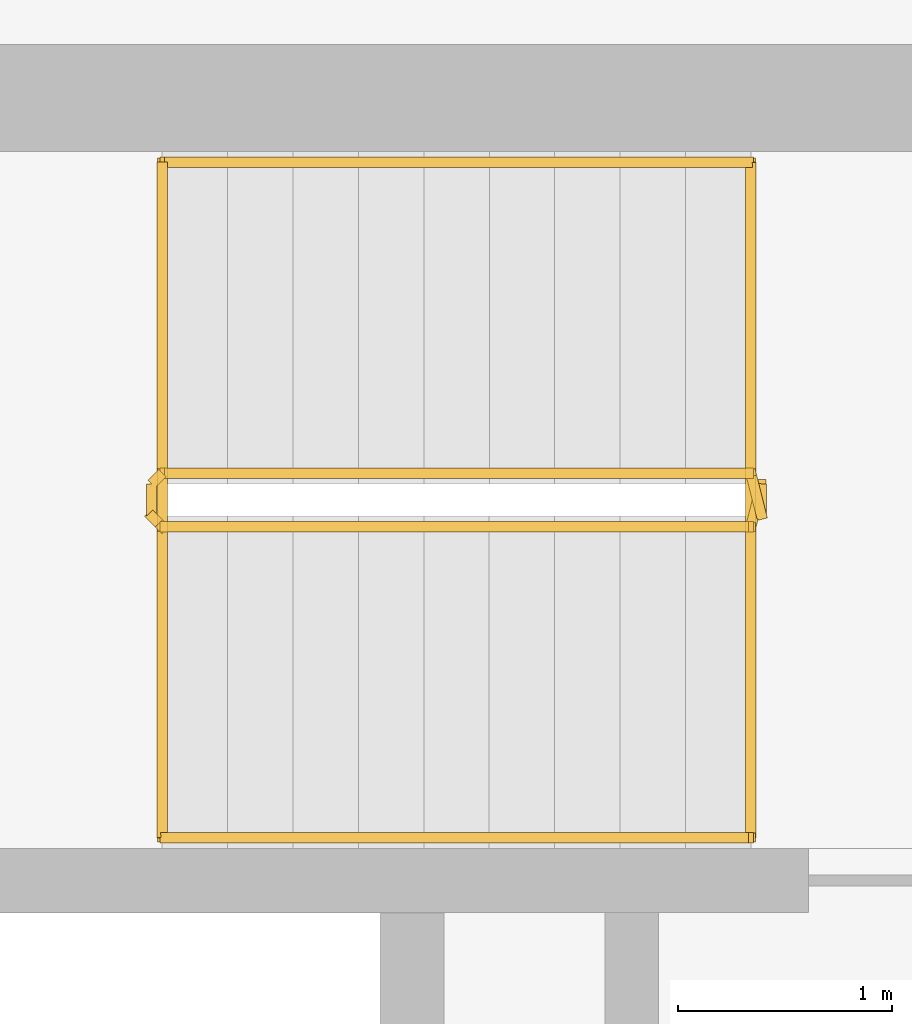
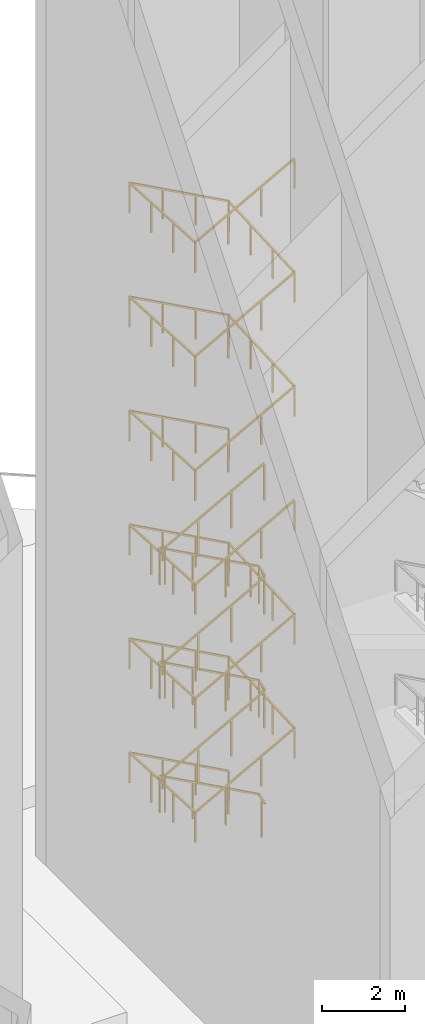
# One storey, part 23 of 26: 3 railings.
"""IFC4 building model written with IfcOpenShell, lengths in metres."""

from ifc_helpers import new_model, si_unit, direction, frame, origin, origin_2d, place, context, subcontext, project, spatial, rectangle, extrude, material, type_object, element, save


model = new_model("IFC4")

# Units and contexts
model_context = context("Model", 3, precision=1e-05, world=origin(), true_north=direction((0.0, 1.0)))
body_context = subcontext(model_context, "Body", "Model", "MODEL_VIEW")
ifc_project = project(units=[si_unit("LENGTHUNIT", "METRE"), si_unit("AREAUNIT", "SQUARE_METRE"), si_unit("VOLUMEUNIT", "CUBIC_METRE"), si_unit("PLANEANGLEUNIT", "RADIAN"), si_unit("MASSUNIT", "GRAM", prefix="KILO")], contexts=[model_context])

# Site, building, storey
site_placement = place(None, origin())
site = spatial("IfcSite", under=ifc_project, at=site_placement, CompositionType="ELEMENT")
building_placement = place(site_placement, origin())
building = spatial("IfcBuilding", under=site, at=building_placement, Name="Noorbagh Ring Tower", CompositionType="ELEMENT")
storey_placement = place(building_placement, frame((0.0, 0.0, 203.5)))
storey = spatial("IfcBuildingStorey", under=building, at=storey_placement, Name="L47", CompositionType="ELEMENT", Elevation=203.5)

# Railings
ifc_material_1 = material(Name="Stainless steel", Category="steel")
railing_type_1 = type_object("IfcRailingType", Name="CORE-STAIR-GUARD", PredefinedType="GUARDRAIL", material=ifc_material_1)
railing_1_placement = place(storey_placement, frame((21.580078125, 6.449951171875, 0.0)))
element("IfcRailing", 1, at=railing_1_placement, inside=storey, type_object=railing_type_1, Name="L47 ST3 stair guard", PredefinedType="GUARDRAIL", context=body_context, shape_type="SweptSolid", body=[
    extrude(rectangle(XDim=0.048095703125, YDim=0.048095703125, at=origin_2d()), frame((0.0, 0.0, 1.076171875), z_axis=(0.0, -1.0, 0.0), x_axis=(1.0, 0.0, 0.0)), (0.0, 0.0, 1.0), 0.14990234375),
    extrude(rectangle(XDim=0.048095703125, YDim=0.048095703125, at=origin_2d()), frame((0.0, -0.14990234375, 1.076171875), z_axis=(-0.188775798145, 0.754182335027, 0.628945707965), x_axis=(-0.970072785993, -0.242814311512, 0.0)), (0.0, 0.0, 1.0), 0.26513671875),
    extrude(rectangle(XDim=0.048095703125, YDim=0.048095703125, at=origin_2d()), frame((-0.050048828125, 0.050048828125, 1.24267578125), z_axis=(-0.877537414544, 0.0, 0.479508171021), x_axis=(0.0, -1.0, 0.0)), (0.0, 0.0, 1.0), 3.128173828125),
    extrude(rectangle(XDim=0.048095703125, YDim=0.048095703125, at=origin_2d()), frame((-2.795166015625, 0.050048828125, 2.74267578125), z_axis=(-0.705375805398, -0.708833529934, 0.0), x_axis=(0.708833529934, -0.705375805398, 0.0)), (0.0, 0.0, 1.0), 0.070556640625),
    extrude(rectangle(XDim=0.048095703125, YDim=0.048095703125, at=origin_2d()), frame((-2.844970703125, 0.0, 2.74267578125), z_axis=(0.0, -1.0, 0.0), x_axis=(1.0, 0.0, 0.0)), (0.0, 0.0, 1.0), 0.14990234375),
    extrude(rectangle(XDim=0.048095703125, YDim=0.048095703125, at=origin_2d()), frame((-2.844970703125, -0.14990234375, 2.74267578125), z_axis=(0.275382897532, -0.276732813696, 0.920642824102), x_axis=(0.708833529934, 0.705375805398, 0.0)), (0.0, 0.0, 1.0), 0.180908203125),
    extrude(rectangle(XDim=0.048095703125, YDim=0.048095703125, at=origin_2d()), frame((-2.795166015625, -0.199951171875, 2.9091796875), z_axis=(0.877537414544, 0.0, 0.479508171021), x_axis=(0.0, 1.0, 0.0)), (0.0, 0.0, 1.0), 3.128173828125),
    extrude(rectangle(XDim=0.048095703125, YDim=0.048095703125, at=origin_2d()), frame((-0.050048828125, -0.199951171875, 4.4091796875), z_axis=(0.242814311512, 0.970072785993, 0.0), x_axis=(-0.970072785993, 0.242814311512, 0.0)), (0.0, 0.0, 1.0), 0.2060546875),
    extrude(rectangle(XDim=0.048095703125, YDim=0.048095703125, at=origin_2d()), frame((0.0, 0.0, 4.4091796875), z_axis=(0.0, -1.0, 0.0), x_axis=(1.0, 0.0, 0.0)), (0.0, 0.0, 1.0), 0.14990234375),
    extrude(rectangle(XDim=0.048095703125, YDim=0.048095703125, at=origin_2d()), frame((0.0, -0.14990234375, 4.4091796875), z_axis=(-0.188775798145, 0.754182335027, 0.628945707965), x_axis=(-0.970072785993, -0.242814311512, 0.0)), (0.0, 0.0, 1.0), 0.26513671875),
    extrude(rectangle(XDim=0.048095703125, YDim=0.048095703125, at=origin_2d()), frame((-0.050048828125, 0.050048828125, 4.576171875), z_axis=(-0.877537414544, 0.0, 0.479508171021), x_axis=(0.0, -1.0, 0.0)), (0.0, 0.0, 1.0), 3.128173828125),
    extrude(rectangle(XDim=0.048095703125, YDim=0.048095703125, at=origin_2d()), frame((-2.795166015625, 0.050048828125, 6.076171875), z_axis=(-0.705375805398, -0.708833529934, 0.0), x_axis=(0.708833529934, -0.705375805398, 0.0)), (0.0, 0.0, 1.0), 0.070556640625),
    extrude(rectangle(XDim=0.048095703125, YDim=0.048095703125, at=origin_2d()), frame((-2.844970703125, 0.0, 6.076171875), z_axis=(0.0, -1.0, 0.0), x_axis=(1.0, 0.0, 0.0)), (0.0, 0.0, 1.0), 0.14990234375),
    extrude(rectangle(XDim=0.048095703125, YDim=0.048095703125, at=origin_2d()), frame((-2.844970703125, -0.14990234375, 6.076171875), z_axis=(0.275041040955, -0.276389281352, 0.920848191041), x_axis=(0.708833529934, 0.705375805398, 0.0)), (0.0, 0.0, 1.0), 0.18115234375),
    extrude(rectangle(XDim=0.048095703125, YDim=0.048095703125, at=origin_2d()), frame((-2.795166015625, -0.199951171875, 6.24267578125), z_axis=(0.877537414544, 0.0, 0.479508171021), x_axis=(0.0, 1.0, 0.0)), (0.0, 0.0, 1.0), 3.128173828125),
    extrude(rectangle(XDim=0.048095703125, YDim=0.048095703125, at=origin_2d()), frame((-0.050048828125, -0.199951171875, 7.74267578125), z_axis=(0.242814311512, 0.970072785993, 0.0), x_axis=(-0.970072785993, 0.242814311512, 0.0)), (0.0, 0.0, 1.0), 0.2060546875),
    extrude(rectangle(XDim=0.048095703125, YDim=0.048095703125, at=origin_2d()), frame((0.0, 0.0, 7.74267578125), z_axis=(0.0, -1.0, 0.0), x_axis=(1.0, 0.0, 0.0)), (0.0, 0.0, 1.0), 0.14990234375),
    extrude(rectangle(XDim=0.048095703125, YDim=0.048095703125, at=origin_2d()), frame((0.0, -0.14990234375, 7.74267578125), z_axis=(-0.188885146209, 0.754619193878, 0.628388632753), x_axis=(-0.970072785993, -0.242814311512, 0.0)), (0.0, 0.0, 1.0), 0.264892578125),
    extrude(rectangle(XDim=0.048095703125, YDim=0.048095703125, at=origin_2d()), frame((-0.050048828125, 0.050048828125, 7.9091796875), z_axis=(-0.877537414544, 0.0, 0.479508171021), x_axis=(0.0, -1.0, 0.0)), (0.0, 0.0, 1.0), 3.128173828125),
    extrude(rectangle(XDim=0.048095703125, YDim=0.048095703125, at=origin_2d()), frame((-2.795166015625, 0.050048828125, 9.4091796875), z_axis=(-0.705375805398, -0.708833529934, 0.0), x_axis=(0.708833529934, -0.705375805398, 0.0)), (0.0, 0.0, 1.0), 0.070556640625),
    extrude(rectangle(XDim=0.048095703125, YDim=0.048095703125, at=origin_2d()), frame((-2.844970703125, 0.0, 9.4091796875), z_axis=(0.0, -1.0, 0.0), x_axis=(1.0, 0.0, 0.0)), (0.0, 0.0, 1.0), 0.14990234375),
    extrude(rectangle(XDim=0.048095703125, YDim=0.048095703125, at=origin_2d()), frame((-2.844970703125, -0.14990234375, 9.4091796875), z_axis=(0.275041040955, -0.276389281352, 0.920848191041), x_axis=(0.708833529934, 0.705375805398, 0.0)), (0.0, 0.0, 1.0), 0.18115234375),
    extrude(rectangle(XDim=0.048095703125, YDim=0.048095703125, at=origin_2d()), frame((-2.795166015625, -0.199951171875, 9.576171875), z_axis=(0.877537414544, 0.0, 0.479508171021), x_axis=(0.0, 1.0, 0.0)), (0.0, 0.0, 1.0), 3.128173828125),
    extrude(rectangle(XDim=0.0419921875, YDim=0.0419921875, at=origin_2d()), origin(), (0.0, 0.0, 1.0), 1.052001953125),
    extrude(rectangle(XDim=0.0419921875, YDim=0.0419921875, at=origin_2d()), frame((-0.965087890625, 0.050048828125, 0.666748046875)), (0.0, 0.0, 1.0), 1.052001953125),
    extrude(rectangle(XDim=0.0419921875, YDim=0.0419921875, at=origin_2d()), frame((-1.880126953125, 0.050048828125, 1.166748046875)), (0.0, 0.0, 1.0), 1.052001953125),
    extrude(rectangle(XDim=0.0419921875, YDim=0.0419921875, at=origin_2d()), frame((-2.795166015625, 0.050048828125, 1.666748046875)), (0.0, 0.0, 1.0), 1.052001953125),
    extrude(rectangle(XDim=0.0419921875, YDim=0.0419921875, at=origin_2d()), frame((-2.795166015625, -0.199951171875, 1.833251953125)), (0.0, 0.0, 1.0), 1.052001953125),
    extrude(rectangle(XDim=0.0419921875, YDim=0.0419921875, at=origin_2d()), frame((-1.880126953125, -0.199951171875, 2.333251953125)), (0.0, 0.0, 1.0), 1.052001953125),
    extrude(rectangle(XDim=0.0419921875, YDim=0.0419921875, at=origin_2d()), frame((-0.965087890625, -0.199951171875, 2.833251953125)), (0.0, 0.0, 1.0), 1.052001953125),
    extrude(rectangle(XDim=0.0419921875, YDim=0.0419921875, at=origin_2d()), frame((-0.050048828125, -0.199951171875, 3.333251953125)), (0.0, 0.0, 1.0), 1.052001953125),
    extrude(rectangle(XDim=0.0419921875, YDim=0.0419921875, at=origin_2d()), frame((-0.050048828125, 0.050048828125, 3.5)), (0.0, 0.0, 1.0), 1.052001953125),
    extrude(rectangle(XDim=0.0419921875, YDim=0.0419921875, at=origin_2d()), frame((-0.965087890625, 0.050048828125, 4.0)), (0.0, 0.0, 1.0), 1.052001953125),
    extrude(rectangle(XDim=0.0419921875, YDim=0.0419921875, at=origin_2d()), frame((-1.880126953125, 0.050048828125, 4.5)), (0.0, 0.0, 1.0), 1.052001953125),
    extrude(rectangle(XDim=0.0419921875, YDim=0.0419921875, at=origin_2d()), frame((-2.795166015625, 0.050048828125, 5.0)), (0.0, 0.0, 1.0), 1.052001953125),
    extrude(rectangle(XDim=0.0419921875, YDim=0.0419921875, at=origin_2d()), frame((-2.795166015625, -0.199951171875, 5.166748046875)), (0.0, 0.0, 1.0), 1.052001953125),
    extrude(rectangle(XDim=0.0419921875, YDim=0.0419921875, at=origin_2d()), frame((-1.880126953125, -0.199951171875, 5.666748046875)), (0.0, 0.0, 1.0), 1.052001953125),
    extrude(rectangle(XDim=0.0419921875, YDim=0.0419921875, at=origin_2d()), frame((-0.965087890625, -0.199951171875, 6.166748046875)), (0.0, 0.0, 1.0), 1.052001953125),
    extrude(rectangle(XDim=0.0419921875, YDim=0.0419921875, at=origin_2d()), frame((-0.050048828125, -0.199951171875, 6.666748046875)), (0.0, 0.0, 1.0), 1.052001953125),
    extrude(rectangle(XDim=0.0419921875, YDim=0.0419921875, at=origin_2d()), frame((-0.050048828125, 0.050048828125, 6.833251953125)), (0.0, 0.0, 1.0), 1.052001953125),
    extrude(rectangle(XDim=0.0419921875, YDim=0.0419921875, at=origin_2d()), frame((-0.965087890625, 0.050048828125, 7.333251953125)), (0.0, 0.0, 1.0), 1.052001953125),
    extrude(rectangle(XDim=0.0419921875, YDim=0.0419921875, at=origin_2d()), frame((-1.880126953125, 0.050048828125, 7.833251953125)), (0.0, 0.0, 1.0), 1.052001953125),
    extrude(rectangle(XDim=0.0419921875, YDim=0.0419921875, at=origin_2d()), frame((-2.795166015625, 0.050048828125, 8.333251953125)), (0.0, 0.0, 1.0), 1.052001953125),
    extrude(rectangle(XDim=0.0419921875, YDim=0.0419921875, at=origin_2d()), frame((-2.795166015625, -0.199951171875, 8.5)), (0.0, 0.0, 1.0), 1.052001953125),
    extrude(rectangle(XDim=0.0419921875, YDim=0.0419921875, at=origin_2d()), frame((-1.880126953125, -0.199951171875, 9.0)), (0.0, 0.0, 1.0), 1.052001953125),
    extrude(rectangle(XDim=0.0419921875, YDim=0.0419921875, at=origin_2d()), frame((-0.965087890625, -0.199951171875, 9.5)), (0.0, 0.0, 1.0), 1.052001953125),
    extrude(rectangle(XDim=0.0419921875, YDim=0.0419921875, at=origin_2d()), frame((-0.050048828125, -0.199951171875, 10.0)), (0.0, 0.0, 1.0), 1.052001953125),
])
ifc_material_2 = material(Name="Stainless steel", Category="steel")
railing_type_2 = type_object("IfcRailingType", Name="CORE-STAIR-HANDRAIL", PredefinedType="HANDRAIL", material=ifc_material_2)
railing_2_placement = place(storey_placement, frame((21.530029296875, 7.949951171875, 0.166748046875)))
element("IfcRailing", 2, at=railing_2_placement, inside=storey, type_object=railing_type_2, Name="L47 ST3 stair handrail", PredefinedType="HANDRAIL", context=body_context, shape_type="SweptSolid", body=[
    extrude(rectangle(XDim=0.048095703125, YDim=0.048095703125, at=origin_2d()), frame((0.0, 0.0, 0.8759765625), z_axis=(-0.877537414544, 0.0, 0.479508171021), x_axis=(0.0, -1.0, 0.0)), (0.0, 0.0, 1.0), 3.128173828125),
    extrude(rectangle(XDim=0.048095703125, YDim=0.048095703125, at=origin_2d()), frame((-2.7451171875, 0.0, 2.3759765625), z_axis=(0.0, -0.998605830047, 0.052786325848), x_axis=(1.0, 0.0, 0.0)), (0.0, 0.0, 1.0), 3.154296875),
    extrude(rectangle(XDim=0.048095703125, YDim=0.048095703125, at=origin_2d()), frame((-2.7451171875, -3.14990234375, 2.54248046875), z_axis=(0.877537414544, 0.0, 0.479508171021), x_axis=(0.0, 1.0, 0.0)), (0.0, 0.0, 1.0), 3.128173828125),
    extrude(rectangle(XDim=0.048095703125, YDim=0.048095703125, at=origin_2d()), frame((0.0, -3.14990234375, 4.04248046875), z_axis=(0.0, 0.998601747152, 0.052863509014), x_axis=(-1.0, 0.0, 0.0)), (0.0, 0.0, 1.0), 3.154296875),
    extrude(rectangle(XDim=0.048095703125, YDim=0.048095703125, at=origin_2d()), frame((0.0, 0.0, 4.208984375), z_axis=(-0.877537414544, 0.0, 0.479508171021), x_axis=(0.0, -1.0, 0.0)), (0.0, 0.0, 1.0), 3.128173828125),
    extrude(rectangle(XDim=0.048095703125, YDim=0.048095703125, at=origin_2d()), frame((-2.7451171875, 0.0, 5.708984375), z_axis=(0.0, -0.998601747152, 0.052863509014), x_axis=(1.0, 0.0, 0.0)), (0.0, 0.0, 1.0), 3.154296875),
    extrude(rectangle(XDim=0.048095703125, YDim=0.048095703125, at=origin_2d()), frame((-2.7451171875, -3.14990234375, 5.8759765625), z_axis=(0.877537414544, 0.0, 0.479508171021), x_axis=(0.0, 1.0, 0.0)), (0.0, 0.0, 1.0), 3.128173828125),
    extrude(rectangle(XDim=0.048095703125, YDim=0.048095703125, at=origin_2d()), frame((0.0, -3.14990234375, 7.3759765625), z_axis=(0.0, 0.998605830047, 0.052786325848), x_axis=(-1.0, 0.0, 0.0)), (0.0, 0.0, 1.0), 3.154296875),
    extrude(rectangle(XDim=0.048095703125, YDim=0.048095703125, at=origin_2d()), frame((0.0, 0.0, 7.54248046875), z_axis=(-0.877537414544, 0.0, 0.479508171021), x_axis=(0.0, -1.0, 0.0)), (0.0, 0.0, 1.0), 3.128173828125),
    extrude(rectangle(XDim=0.048095703125, YDim=0.048095703125, at=origin_2d()), frame((-2.7451171875, 0.0, 9.04248046875), z_axis=(0.0, -0.998601747152, 0.052863509014), x_axis=(1.0, 0.0, 0.0)), (0.0, 0.0, 1.0), 3.154296875),
    extrude(rectangle(XDim=0.048095703125, YDim=0.048095703125, at=origin_2d()), frame((-2.7451171875, -3.14990234375, 9.208984375), z_axis=(0.877537414544, 0.0, 0.479508171021), x_axis=(0.0, 1.0, 0.0)), (0.0, 0.0, 1.0), 3.128173828125),
    extrude(rectangle(XDim=0.0419921875, YDim=0.0419921875, at=origin_2d()), origin(), (0.0, 0.0, 1.0), 0.851806640625),
    extrude(rectangle(XDim=0.0419921875, YDim=0.0419921875, at=origin_2d()), frame((-0.9150390625, 0.0, 0.5)), (0.0, 0.0, 1.0), 0.851806640625),
    extrude(rectangle(XDim=0.0419921875, YDim=0.0419921875, at=origin_2d()), frame((-1.830078125, 0.0, 1.0)), (0.0, 0.0, 1.0), 0.851806640625),
    extrude(rectangle(XDim=0.0419921875, YDim=0.0419921875, at=origin_2d()), frame((-2.7451171875, 0.0, 1.5)), (0.0, 0.0, 1.0), 0.851806640625),
    extrude(rectangle(XDim=0.0419921875, YDim=0.0419921875, at=origin_2d()), frame((-2.7451171875, -1.050048828125, 1.555419921875)), (0.0, 0.0, 1.0), 0.851806640625),
    extrude(rectangle(XDim=0.0419921875, YDim=0.0419921875, at=origin_2d()), frame((-2.7451171875, -2.099853515625, 1.611083984375)), (0.0, 0.0, 1.0), 0.851806640625),
    extrude(rectangle(XDim=0.0419921875, YDim=0.0419921875, at=origin_2d()), frame((-2.7451171875, -3.14990234375, 1.66650390625)), (0.0, 0.0, 1.0), 0.851806640625),
    extrude(rectangle(XDim=0.0419921875, YDim=0.0419921875, at=origin_2d()), frame((-1.830078125, -3.14990234375, 2.16650390625)), (0.0, 0.0, 1.0), 0.851806640625),
    extrude(rectangle(XDim=0.0419921875, YDim=0.0419921875, at=origin_2d()), frame((-0.9150390625, -3.14990234375, 2.66650390625)), (0.0, 0.0, 1.0), 0.851806640625),
    extrude(rectangle(XDim=0.0419921875, YDim=0.0419921875, at=origin_2d()), frame((0.0, -3.14990234375, 3.16650390625)), (0.0, 0.0, 1.0), 0.851806640625),
    extrude(rectangle(XDim=0.0419921875, YDim=0.0419921875, at=origin_2d()), frame((0.0, -2.099853515625, 3.22216796875)), (0.0, 0.0, 1.0), 0.851806640625),
    extrude(rectangle(XDim=0.0419921875, YDim=0.0419921875, at=origin_2d()), frame((0.0, -1.050048828125, 3.277587890625)), (0.0, 0.0, 1.0), 0.851806640625),
    extrude(rectangle(XDim=0.0419921875, YDim=0.0419921875, at=origin_2d()), frame((0.0, 0.0, 3.333251953125)), (0.0, 0.0, 1.0), 0.851806640625),
    extrude(rectangle(XDim=0.0419921875, YDim=0.0419921875, at=origin_2d()), frame((-0.9150390625, 0.0, 3.833251953125)), (0.0, 0.0, 1.0), 0.851806640625),
    extrude(rectangle(XDim=0.0419921875, YDim=0.0419921875, at=origin_2d()), frame((-1.830078125, 0.0, 4.333251953125)), (0.0, 0.0, 1.0), 0.851806640625),
    extrude(rectangle(XDim=0.0419921875, YDim=0.0419921875, at=origin_2d()), frame((-2.7451171875, 0.0, 4.833251953125)), (0.0, 0.0, 1.0), 0.851806640625),
    extrude(rectangle(XDim=0.0419921875, YDim=0.0419921875, at=origin_2d()), frame((-2.7451171875, -1.050048828125, 4.888916015625)), (0.0, 0.0, 1.0), 0.851806640625),
    extrude(rectangle(XDim=0.0419921875, YDim=0.0419921875, at=origin_2d()), frame((-2.7451171875, -2.099853515625, 4.9443359375)), (0.0, 0.0, 1.0), 0.851806640625),
    extrude(rectangle(XDim=0.0419921875, YDim=0.0419921875, at=origin_2d()), frame((-2.7451171875, -3.14990234375, 5.0)), (0.0, 0.0, 1.0), 0.851806640625),
    extrude(rectangle(XDim=0.0419921875, YDim=0.0419921875, at=origin_2d()), frame((-1.830078125, -3.14990234375, 5.5)), (0.0, 0.0, 1.0), 0.851806640625),
    extrude(rectangle(XDim=0.0419921875, YDim=0.0419921875, at=origin_2d()), frame((-0.9150390625, -3.14990234375, 6.0)), (0.0, 0.0, 1.0), 0.851806640625),
    extrude(rectangle(XDim=0.0419921875, YDim=0.0419921875, at=origin_2d()), frame((0.0, -3.14990234375, 6.5)), (0.0, 0.0, 1.0), 0.851806640625),
    extrude(rectangle(XDim=0.0419921875, YDim=0.0419921875, at=origin_2d()), frame((0.0, -2.099853515625, 6.555419921875)), (0.0, 0.0, 1.0), 0.851806640625),
    extrude(rectangle(XDim=0.0419921875, YDim=0.0419921875, at=origin_2d()), frame((0.0, -1.050048828125, 6.611083984375)), (0.0, 0.0, 1.0), 0.851806640625),
    extrude(rectangle(XDim=0.0419921875, YDim=0.0419921875, at=origin_2d()), frame((0.0, 0.0, 6.66650390625)), (0.0, 0.0, 1.0), 0.851806640625),
    extrude(rectangle(XDim=0.0419921875, YDim=0.0419921875, at=origin_2d()), frame((-0.9150390625, 0.0, 7.16650390625)), (0.0, 0.0, 1.0), 0.851806640625),
    extrude(rectangle(XDim=0.0419921875, YDim=0.0419921875, at=origin_2d()), frame((-1.830078125, 0.0, 7.66650390625)), (0.0, 0.0, 1.0), 0.851806640625),
    extrude(rectangle(XDim=0.0419921875, YDim=0.0419921875, at=origin_2d()), frame((-2.7451171875, 0.0, 8.16650390625)), (0.0, 0.0, 1.0), 0.851806640625),
    extrude(rectangle(XDim=0.0419921875, YDim=0.0419921875, at=origin_2d()), frame((-2.7451171875, -1.050048828125, 8.22216796875)), (0.0, 0.0, 1.0), 0.851806640625),
    extrude(rectangle(XDim=0.0419921875, YDim=0.0419921875, at=origin_2d()), frame((-2.7451171875, -2.099853515625, 8.277587890625)), (0.0, 0.0, 1.0), 0.851806640625),
    extrude(rectangle(XDim=0.0419921875, YDim=0.0419921875, at=origin_2d()), frame((-2.7451171875, -3.14990234375, 8.333251953125)), (0.0, 0.0, 1.0), 0.851806640625),
    extrude(rectangle(XDim=0.0419921875, YDim=0.0419921875, at=origin_2d()), frame((-1.830078125, -3.14990234375, 8.833251953125)), (0.0, 0.0, 1.0), 0.851806640625),
    extrude(rectangle(XDim=0.0419921875, YDim=0.0419921875, at=origin_2d()), frame((-0.9150390625, -3.14990234375, 9.333251953125)), (0.0, 0.0, 1.0), 0.851806640625),
    extrude(rectangle(XDim=0.0419921875, YDim=0.0419921875, at=origin_2d()), frame((0.0, -3.14990234375, 9.833251953125)), (0.0, 0.0, 1.0), 0.851806640625),
])
railing_3_placement = place(storey_placement, frame((21.530029296875, 7.949951171875, 10.166748046875)))
element("IfcRailing", 3, at=railing_3_placement, inside=storey, type_object=railing_type_2, Name="L47b ST3 stair handrail", PredefinedType="HANDRAIL", context=body_context, shape_type="SweptSolid", body=[
    extrude(rectangle(XDim=0.048095703125, YDim=0.048095703125, at=origin_2d()), frame((0.0, 0.0, 0.8759765625), z_axis=(-0.877537414544, 0.0, 0.479508171021), x_axis=(0.0, -1.0, 0.0)), (0.0, 0.0, 1.0), 3.128173828125),
    extrude(rectangle(XDim=0.048095703125, YDim=0.048095703125, at=origin_2d()), frame((-2.7451171875, 0.0, 2.3759765625), z_axis=(0.0, -0.998605830047, 0.052786325848), x_axis=(1.0, 0.0, 0.0)), (0.0, 0.0, 1.0), 3.154296875),
    extrude(rectangle(XDim=0.048095703125, YDim=0.048095703125, at=origin_2d()), frame((-2.7451171875, -3.14990234375, 2.54248046875), z_axis=(0.877537414544, 0.0, 0.479508171021), x_axis=(0.0, 1.0, 0.0)), (0.0, 0.0, 1.0), 3.128173828125),
    extrude(rectangle(XDim=0.048095703125, YDim=0.048095703125, at=origin_2d()), frame((0.0, -3.14990234375, 4.04248046875), z_axis=(0.0, 0.998601747152, 0.052863509014), x_axis=(-1.0, 0.0, 0.0)), (0.0, 0.0, 1.0), 3.154296875),
    extrude(rectangle(XDim=0.048095703125, YDim=0.048095703125, at=origin_2d()), frame((0.0, 0.0, 4.208984375), z_axis=(-0.877537414544, 0.0, 0.479508171021), x_axis=(0.0, -1.0, 0.0)), (0.0, 0.0, 1.0), 3.128173828125),
    extrude(rectangle(XDim=0.048095703125, YDim=0.048095703125, at=origin_2d()), frame((-2.7451171875, 0.0, 5.708984375), z_axis=(0.0, -0.998601747152, 0.052863509014), x_axis=(1.0, 0.0, 0.0)), (0.0, 0.0, 1.0), 3.154296875),
    extrude(rectangle(XDim=0.048095703125, YDim=0.048095703125, at=origin_2d()), frame((-2.7451171875, -3.14990234375, 5.8759765625), z_axis=(0.877537414544, 0.0, 0.479508171021), x_axis=(0.0, 1.0, 0.0)), (0.0, 0.0, 1.0), 3.128173828125),
    extrude(rectangle(XDim=0.048095703125, YDim=0.048095703125, at=origin_2d()), frame((0.0, -3.14990234375, 7.3759765625), z_axis=(0.0, 0.998605830047, 0.052786325848), x_axis=(-1.0, 0.0, 0.0)), (0.0, 0.0, 1.0), 3.154296875),
    extrude(rectangle(XDim=0.048095703125, YDim=0.048095703125, at=origin_2d()), frame((0.0, 0.0, 7.54248046875), z_axis=(-0.877537414544, 0.0, 0.479508171021), x_axis=(0.0, -1.0, 0.0)), (0.0, 0.0, 1.0), 3.128173828125),
    extrude(rectangle(XDim=0.048095703125, YDim=0.048095703125, at=origin_2d()), frame((-2.7451171875, 0.0, 9.04248046875), z_axis=(0.0, -0.998601747152, 0.052863509014), x_axis=(1.0, 0.0, 0.0)), (0.0, 0.0, 1.0), 3.154296875),
    extrude(rectangle(XDim=0.048095703125, YDim=0.048095703125, at=origin_2d()), frame((-2.7451171875, -3.14990234375, 9.208984375), z_axis=(0.877537414544, 0.0, 0.479508171021), x_axis=(0.0, 1.0, 0.0)), (0.0, 0.0, 1.0), 3.128173828125),
    extrude(rectangle(XDim=0.0419921875, YDim=0.0419921875, at=origin_2d()), origin(), (0.0, 0.0, 1.0), 0.851806640625),
    extrude(rectangle(XDim=0.0419921875, YDim=0.0419921875, at=origin_2d()), frame((-0.9150390625, 0.0, 0.5)), (0.0, 0.0, 1.0), 0.851806640625),
    extrude(rectangle(XDim=0.0419921875, YDim=0.0419921875, at=origin_2d()), frame((-1.830078125, 0.0, 1.0)), (0.0, 0.0, 1.0), 0.851806640625),
    extrude(rectangle(XDim=0.0419921875, YDim=0.0419921875, at=origin_2d()), frame((-2.7451171875, 0.0, 1.5)), (0.0, 0.0, 1.0), 0.851806640625),
    extrude(rectangle(XDim=0.0419921875, YDim=0.0419921875, at=origin_2d()), frame((-2.7451171875, -1.050048828125, 1.555419921875)), (0.0, 0.0, 1.0), 0.851806640625),
    extrude(rectangle(XDim=0.0419921875, YDim=0.0419921875, at=origin_2d()), frame((-2.7451171875, -2.099853515625, 1.611083984375)), (0.0, 0.0, 1.0), 0.851806640625),
    extrude(rectangle(XDim=0.0419921875, YDim=0.0419921875, at=origin_2d()), frame((-2.7451171875, -3.14990234375, 1.66650390625)), (0.0, 0.0, 1.0), 0.851806640625),
    extrude(rectangle(XDim=0.0419921875, YDim=0.0419921875, at=origin_2d()), frame((-1.830078125, -3.14990234375, 2.16650390625)), (0.0, 0.0, 1.0), 0.851806640625),
    extrude(rectangle(XDim=0.0419921875, YDim=0.0419921875, at=origin_2d()), frame((-0.9150390625, -3.14990234375, 2.66650390625)), (0.0, 0.0, 1.0), 0.851806640625),
    extrude(rectangle(XDim=0.0419921875, YDim=0.0419921875, at=origin_2d()), frame((0.0, -3.14990234375, 3.16650390625)), (0.0, 0.0, 1.0), 0.851806640625),
    extrude(rectangle(XDim=0.0419921875, YDim=0.0419921875, at=origin_2d()), frame((0.0, -2.099853515625, 3.22216796875)), (0.0, 0.0, 1.0), 0.851806640625),
    extrude(rectangle(XDim=0.0419921875, YDim=0.0419921875, at=origin_2d()), frame((0.0, -1.050048828125, 3.277587890625)), (0.0, 0.0, 1.0), 0.851806640625),
    extrude(rectangle(XDim=0.0419921875, YDim=0.0419921875, at=origin_2d()), frame((0.0, 0.0, 3.333251953125)), (0.0, 0.0, 1.0), 0.851806640625),
    extrude(rectangle(XDim=0.0419921875, YDim=0.0419921875, at=origin_2d()), frame((-0.9150390625, 0.0, 3.833251953125)), (0.0, 0.0, 1.0), 0.851806640625),
    extrude(rectangle(XDim=0.0419921875, YDim=0.0419921875, at=origin_2d()), frame((-1.830078125, 0.0, 4.333251953125)), (0.0, 0.0, 1.0), 0.851806640625),
    extrude(rectangle(XDim=0.0419921875, YDim=0.0419921875, at=origin_2d()), frame((-2.7451171875, 0.0, 4.833251953125)), (0.0, 0.0, 1.0), 0.851806640625),
    extrude(rectangle(XDim=0.0419921875, YDim=0.0419921875, at=origin_2d()), frame((-2.7451171875, -1.050048828125, 4.888916015625)), (0.0, 0.0, 1.0), 0.851806640625),
    extrude(rectangle(XDim=0.0419921875, YDim=0.0419921875, at=origin_2d()), frame((-2.7451171875, -2.099853515625, 4.9443359375)), (0.0, 0.0, 1.0), 0.851806640625),
    extrude(rectangle(XDim=0.0419921875, YDim=0.0419921875, at=origin_2d()), frame((-2.7451171875, -3.14990234375, 5.0)), (0.0, 0.0, 1.0), 0.851806640625),
    extrude(rectangle(XDim=0.0419921875, YDim=0.0419921875, at=origin_2d()), frame((-1.830078125, -3.14990234375, 5.5)), (0.0, 0.0, 1.0), 0.851806640625),
    extrude(rectangle(XDim=0.0419921875, YDim=0.0419921875, at=origin_2d()), frame((-0.9150390625, -3.14990234375, 6.0)), (0.0, 0.0, 1.0), 0.851806640625),
    extrude(rectangle(XDim=0.0419921875, YDim=0.0419921875, at=origin_2d()), frame((0.0, -3.14990234375, 6.5)), (0.0, 0.0, 1.0), 0.851806640625),
    extrude(rectangle(XDim=0.0419921875, YDim=0.0419921875, at=origin_2d()), frame((0.0, -2.099853515625, 6.555419921875)), (0.0, 0.0, 1.0), 0.851806640625),
    extrude(rectangle(XDim=0.0419921875, YDim=0.0419921875, at=origin_2d()), frame((0.0, -1.050048828125, 6.611083984375)), (0.0, 0.0, 1.0), 0.851806640625),
    extrude(rectangle(XDim=0.0419921875, YDim=0.0419921875, at=origin_2d()), frame((0.0, 0.0, 6.66650390625)), (0.0, 0.0, 1.0), 0.851806640625),
    extrude(rectangle(XDim=0.0419921875, YDim=0.0419921875, at=origin_2d()), frame((-0.9150390625, 0.0, 7.16650390625)), (0.0, 0.0, 1.0), 0.851806640625),
    extrude(rectangle(XDim=0.0419921875, YDim=0.0419921875, at=origin_2d()), frame((-1.830078125, 0.0, 7.66650390625)), (0.0, 0.0, 1.0), 0.851806640625),
    extrude(rectangle(XDim=0.0419921875, YDim=0.0419921875, at=origin_2d()), frame((-2.7451171875, 0.0, 8.16650390625)), (0.0, 0.0, 1.0), 0.851806640625),
    extrude(rectangle(XDim=0.0419921875, YDim=0.0419921875, at=origin_2d()), frame((-2.7451171875, -1.050048828125, 8.22216796875)), (0.0, 0.0, 1.0), 0.851806640625),
    extrude(rectangle(XDim=0.0419921875, YDim=0.0419921875, at=origin_2d()), frame((-2.7451171875, -2.099853515625, 8.277587890625)), (0.0, 0.0, 1.0), 0.851806640625),
    extrude(rectangle(XDim=0.0419921875, YDim=0.0419921875, at=origin_2d()), frame((-2.7451171875, -3.14990234375, 8.333251953125)), (0.0, 0.0, 1.0), 0.851806640625),
    extrude(rectangle(XDim=0.0419921875, YDim=0.0419921875, at=origin_2d()), frame((-1.830078125, -3.14990234375, 8.833251953125)), (0.0, 0.0, 1.0), 0.851806640625),
    extrude(rectangle(XDim=0.0419921875, YDim=0.0419921875, at=origin_2d()), frame((-0.9150390625, -3.14990234375, 9.333251953125)), (0.0, 0.0, 1.0), 0.851806640625),
    extrude(rectangle(XDim=0.0419921875, YDim=0.0419921875, at=origin_2d()), frame((0.0, -3.14990234375, 9.833251953125)), (0.0, 0.0, 1.0), 0.851806640625),
])

save(model, "model.ifc")
